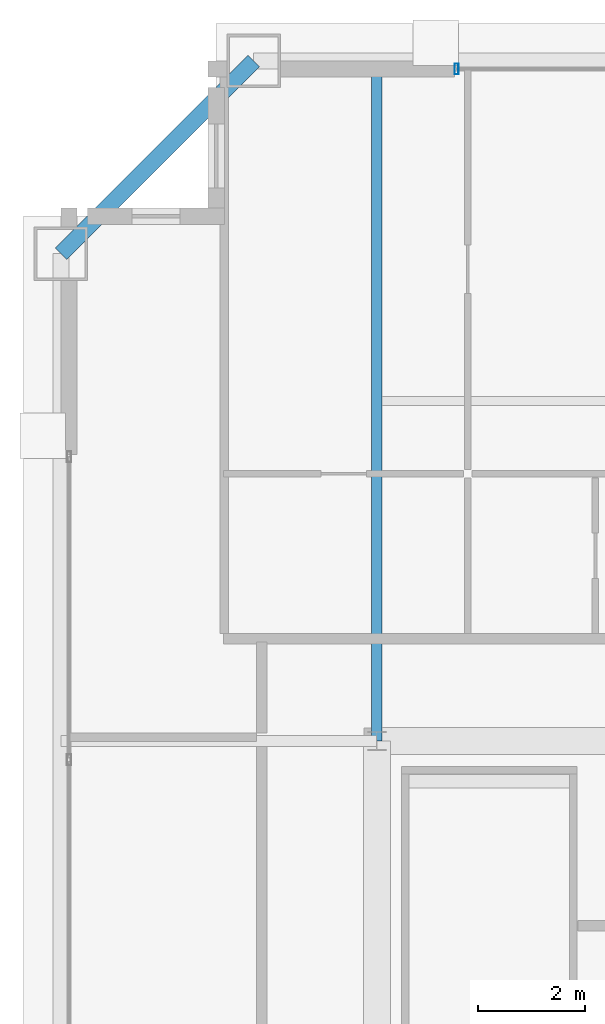
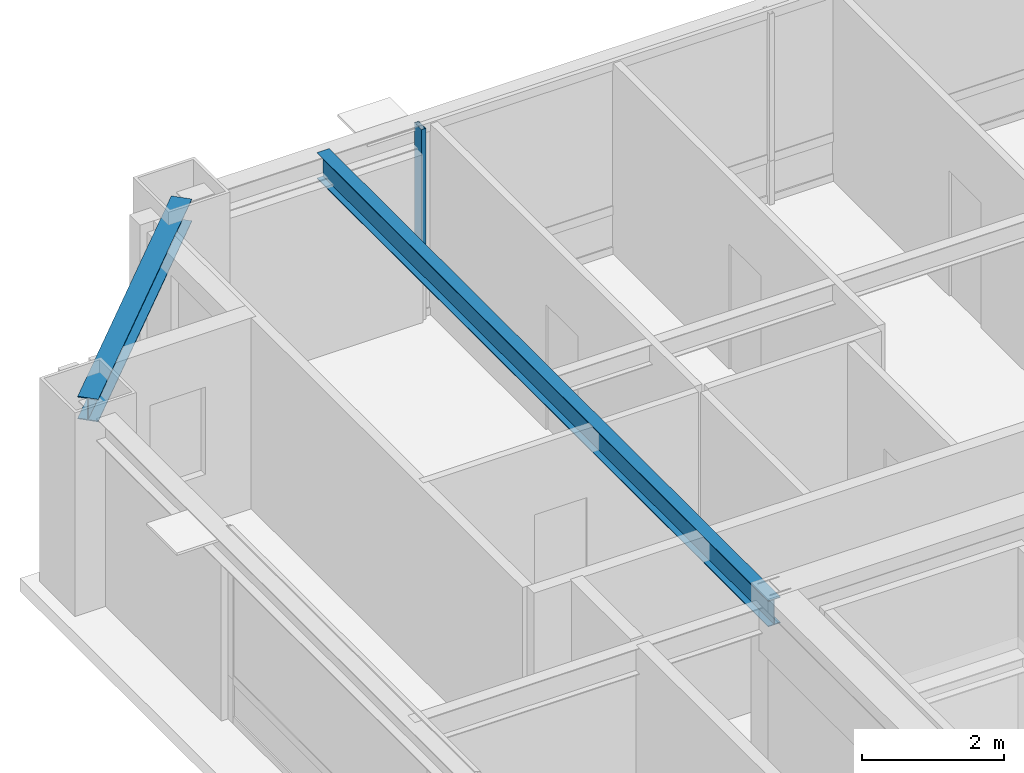
# One storey, part 16 of 35: 2 beams, 1 member, 1 element without a shape of its own.
"""IFC4 building model written with IfcOpenShell, lengths in metres."""

from ifc_helpers import new_model, si_unit, direction, frame, origin, origin_2d, place, context, subcontext, project, spatial, hollow_rectangle, i_section, extrude, source, transform, mapped, material, layer, layer_set, material_profile, profile_set, type_object, element, aggregate, save


model = new_model("IFC4")

# Units and contexts
model_context = context("Model", 3, precision=1e-05, world=origin(), true_north=direction((0.0, 1.0)))
body_context = subcontext(model_context, "Body", "Model", "MODEL_VIEW")
ifc_project = project(units=[si_unit("LENGTHUNIT", "METRE"), si_unit("AREAUNIT", "SQUARE_METRE"), si_unit("VOLUMEUNIT", "CUBIC_METRE"), si_unit("PLANEANGLEUNIT", "RADIAN"), si_unit("MASSUNIT", "GRAM", prefix="KILO"), si_unit("THERMODYNAMICTEMPERATUREUNIT", "KELVIN"), si_unit("POWERUNIT", "WATT")], contexts=[model_context])

# Site, building, storey
site_placement = place(None, origin())
site = spatial("IfcSite", under=ifc_project, at=site_placement, CompositionType="ELEMENT")
building_placement = place(site_placement, origin())
building = spatial("IfcBuilding", under=site, at=building_placement, Name="Yuzanri Waterfront Tower", CompositionType="ELEMENT")
storey_placement = place(building_placement, frame((0.0, 0.0, 332.199951171875)))
storey = spatial("IfcBuildingStorey", under=building, at=storey_placement, Name="L89", CompositionType="ELEMENT", Elevation=332.199951171875)

# Beams
ifc_material_1 = material(Name="Steel Q355B", Category="steel")
ifc_material_profile_1 = material_profile(ifc_material_1, i_section(OverallWidth=0.300048828125, OverallDepth=0.389892578125, WebThickness=0.010009765625, FlangeThickness=0.01611328125, at=origin_2d()), Name="HM 390x300x10x16")
ifc_profile_set_1 = profile_set([ifc_material_profile_1], Name="Steel Q355B")
beam_type_1 = type_object("IfcBeamType", Name="Perimeter Spandrel Q355B HM 390x300", PredefinedType="SPANDREL", material=ifc_profile_set_1)
shared_shape_1 = source(origin(), body_context, "Body", "SweptSolid", [
    extrude(i_section(OverallWidth=0.300048828125, OverallDepth=0.389892578125, WebThickness=0.010009765625, FlangeThickness=0.01611328125, at=origin_2d()), origin(), (0.0, 0.0, 1.0), 5.091064453125),
])
beam_1_placement = place(storey_placement, frame((21.5, 44.89990234375, 3.0849609375), z_axis=(-0.707130757816, -0.707082803744, 0.0), x_axis=(0.707082803744, -0.707130757816, 0.0)))
element("IfcBeam", 1, at=beam_1_placement, inside=storey, type_object=beam_type_1, Name="L89 Perimeter Spandrel N1-W3", PredefinedType="SPANDREL", context=body_context, shape_type="MappedRepresentation", body=[
    mapped(shared_shape_1, transform((0.0, 0.0, 0.0), scale=1.0)),
])
ifc_material_2 = material(Name="Steel Q355B", Category="steel")
ifc_material_profile_2 = material_profile(ifc_material_2, i_section(OverallWidth=0.199951171875, OverallDepth=0.449951171875, WebThickness=0.009033203125, FlangeThickness=0.013916015625, at=origin_2d()), Name="HN 450x200x9x14")
ifc_profile_set_2 = profile_set([ifc_material_profile_2], Name="Steel Q355B")
beam_type_2 = type_object("IfcBeamType", Name="Secondary Floor Beam Q355B HN 450x200", PredefinedType="BEAM", material=ifc_profile_set_2)
shared_shape_2 = source(origin(), body_context, "Body", "SweptSolid", [
    extrude(i_section(OverallWidth=0.199951171875, OverallDepth=0.449951171875, WebThickness=0.009033203125, FlangeThickness=0.013916015625, at=origin_2d()), origin(), (0.0, 0.0, 1.0), 12.699951171875),
])
beam_2_placement = place(storey_placement, frame((23.800048828125, 32.199951171875, 3.054931640625), z_axis=(0.0, 1.0, 0.0), x_axis=(-1.0, 0.0, 0.0)))
element("IfcBeam", 2, at=beam_2_placement, inside=storey, type_object=beam_type_2, Name="L89 North-West Core Line Beam", PredefinedType="BEAM", context=body_context, shape_type="MappedRepresentation", body=[
    mapped(shared_shape_2, transform((0.0, 0.0, 0.0), scale=1.0)),
])

# Curtain wall, member
ifc_material_3 = material(Name="Anodized Architectural Bronze", Category="metal")
ifc_layer = layer(ifc_material_3, 0.159912109375)
ifc_layer_set = layer_set([ifc_layer], Name="Anodized Architectural Bronze")
curtain_wall_type = type_object("IfcCurtainWallType", Name="Anodized Bronze High-Rise Penthouse High-Wind Unitized Curtain Wall 6900", PredefinedType="NOTDEFINED", material=ifc_layer_set)
curtain_wall_placement = place(storey_placement, origin())
curtain_wall = element("IfcCurtainWall", 3, at=curtain_wall_placement, inside=storey, type_object=curtain_wall_type, Name="L89 Curtain Wall CW-L89-NL", PredefinedType="NOTDEFINED")
ifc_material_4 = material(Name="Anodized Architectural Bronze", Category="metal")
ifc_material_profile_3 = material_profile(ifc_material_4, hollow_rectangle(XDim=0.074951171875, YDim=0.199951171875, WallThickness=0.00390625, at=origin_2d()), Name="CWM 75x200")
ifc_profile_set_3 = profile_set([ifc_material_profile_3], Name="Anodized Architectural Bronze")
member_type = type_object("IfcMemberType", Name="Anodized Bronze Primary Curtain-Wall Mullion 75x200", PredefinedType="MULLION", material=ifc_profile_set_3)
shared_shape_3 = source(origin(), body_context, "Body", "SweptSolid", [
    extrude(hollow_rectangle(XDim=0.074951171875, YDim=0.199951171875, WallThickness=0.00390625, at=origin_2d()), origin(), (0.0, 0.0, 1.0), 2.52392578125),
])
member_placement = place(storey_placement, frame((25.2900390625, 44.75, 0.756103515625), z_axis=(0.0, 0.0, 1.0), x_axis=(1.0, 0.0, 0.0)))
member = element("IfcMember", 4, at=member_placement, type_object=member_type, Name="CW-L89-NL Upper Mullion 00", PredefinedType="MULLION", context=body_context, shape_type="MappedRepresentation", body=[
    mapped(shared_shape_3, transform((0.0, 0.0, 0.0), scale=1.0)),
])
aggregate(curtain_wall, [member])

save(model, "model.ifc")
